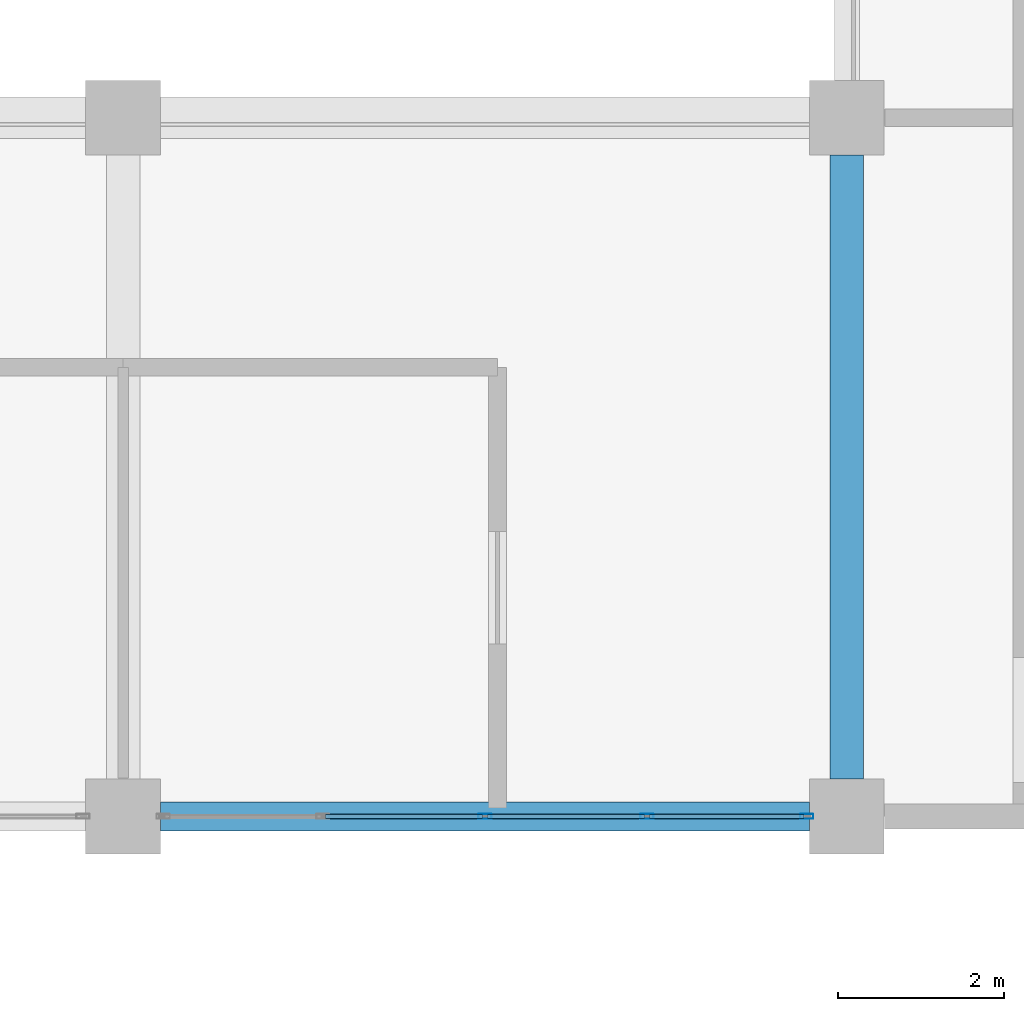
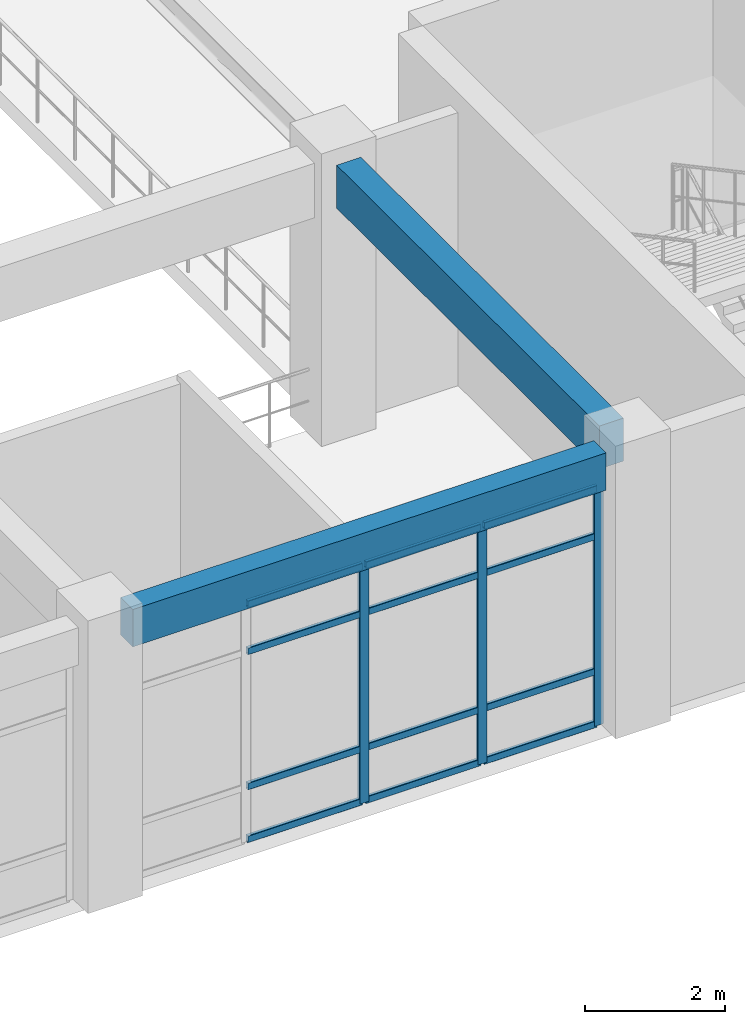
# One storey, part 39 of 120: 15 members, 2 beams, 1 element without a shape of its own.
"""IFC4 building model written with IfcOpenShell, lengths in metres."""

from ifc_helpers import new_model, si_unit, derived_unit, direction, frame, origin, origin_2d, place, context, subcontext, project, spatial, rectangle, hollow_rectangle, extrude, material, layer, layer_set, material_profile, profile_set, type_object, element, aggregate, save


model = new_model("IFC4")

# Units and contexts
model_context = context("Model", 3, precision=1e-05, world=origin(), true_north=direction((0.0, 1.0)))
body_context = subcontext(model_context, "Body", "Model", "MODEL_VIEW")
ifc_project = project(units=[si_unit("LENGTHUNIT", "METRE"), si_unit("AREAUNIT", "SQUARE_METRE"), si_unit("VOLUMEUNIT", "CUBIC_METRE"), si_unit("PLANEANGLEUNIT", "RADIAN"), si_unit("MASSUNIT", "GRAM", prefix="KILO"), derived_unit("THERMALTRANSMITTANCEUNIT", [(si_unit("MASSUNIT", "GRAM", prefix="KILO"), 1), (si_unit("TIMEUNIT", "SECOND"), -3), (si_unit("THERMODYNAMICTEMPERATUREUNIT", "KELVIN"), -1)])], contexts=[model_context])

# Site, building, storey
site_placement = place(None, origin())
site = spatial("IfcSite", under=ifc_project, at=site_placement, CompositionType="ELEMENT")
building_placement = place(site_placement, origin())
building = spatial("IfcBuilding", under=site, at=building_placement, Name="Qinzheling Arcade Emporium", CompositionType="ELEMENT")
storey_placement = place(building_placement, frame((0.0, 0.0, 11.39990234375)))
storey = spatial("IfcBuildingStorey", under=building, at=storey_placement, Name="L03", CompositionType="ELEMENT", Elevation=11.39990234375)

# Curtain wall, members
ifc_material_1 = material(Name="Anodised aluminium and solar-control double glazing", Category="aluminium")
ifc_layer = layer(ifc_material_1, 0.159912109375, Name="Anodised aluminium and solar-control double glazing", Category="aluminium")
ifc_layer_set = layer_set([ifc_layer], Name="Anodised aluminium and solar-control double glazing")
curtain_wall_type = type_object("IfcCurtainWallType", Name="Atrium Clerestory Curtain Wall", PredefinedType="NOTDEFINED", material=ifc_layer_set)
curtain_wall_placement = place(storey_placement, origin())
curtain_wall = element("IfcCurtainWall", 1, at=curtain_wall_placement, inside=storey, type_object=curtain_wall_type, Name="Curtain Wall CW-L03-143", PredefinedType="NOTDEFINED")
ifc_material_2 = material(Name="Anodised aluminium 6063-T6", Category="aluminium")
ifc_material_profile_1 = material_profile(ifc_material_2, hollow_rectangle(XDim=0.06005859375, YDim=0.159912109375, WallThickness=0.00390625, InnerFilletRadius=0.00390625, OuterFilletRadius=0.008056640625, at=origin_2d()), Name="RHS 160x60x4", Category="aluminium")
ifc_profile_set_1 = profile_set([ifc_material_profile_1], Name="Anodised aluminium 6063-T6")
member_type_1 = type_object("IfcMemberType", Name="Curtain Wall Mullion RHS160x60", PredefinedType="MULLION", material=ifc_profile_set_1)
member_1_placement = place(storey_placement, frame((86.51806640625, 42.0, 0.0), z_axis=(0.0, 0.0, 1.0), x_axis=(0.0, -1.0, 0.0)))
member_1 = element("IfcMember", 2, at=member_1_placement, type_object=member_type_1, Name="CW03 mullion 1", PredefinedType="MULLION", context=body_context, shape_type="SweptSolid", body=[
    extrude(hollow_rectangle(XDim=0.06005859375, YDim=0.159912109375, WallThickness=0.00390625, InnerFilletRadius=0.00390625, OuterFilletRadius=0.008056640625, at=origin_2d()), origin(), (0.0, 0.0, 1.0), 4.155029296875),
])
member_2_placement = place(storey_placement, frame((84.59912109375, 42.0, 0.0), z_axis=(0.0, 0.0, 1.0), x_axis=(0.0, -1.0, 0.0)))
member_2 = element("IfcMember", 3, at=member_2_placement, type_object=member_type_1, Name="CW03 mullion 2", PredefinedType="MULLION", context=body_context, shape_type="SweptSolid", body=[
    extrude(hollow_rectangle(XDim=0.06005859375, YDim=0.159912109375, WallThickness=0.00390625, InnerFilletRadius=0.00390625, OuterFilletRadius=0.008056640625, at=origin_2d()), origin(), (0.0, 0.0, 1.0), 4.155029296875),
])
member_3_placement = place(storey_placement, frame((82.64990234375, 42.0, 0.0), z_axis=(0.0, 0.0, 1.0), x_axis=(0.0, -1.0, 0.0)))
member_3 = element("IfcMember", 4, at=member_3_placement, type_object=member_type_1, Name="CW03 mullion 3", PredefinedType="MULLION", context=body_context, shape_type="SweptSolid", body=[
    extrude(hollow_rectangle(XDim=0.06005859375, YDim=0.159912109375, WallThickness=0.00390625, InnerFilletRadius=0.00390625, OuterFilletRadius=0.008056640625, at=origin_2d()), origin(), (0.0, 0.0, 1.0), 4.155029296875),
])
ifc_material_profile_2 = material_profile(ifc_material_2, hollow_rectangle(XDim=0.06005859375, YDim=0.1201171875, WallThickness=0.00390625, InnerFilletRadius=0.00390625, OuterFilletRadius=0.008056640625, at=origin_2d()), Name="RHS 120x60x4", Category="aluminium")
ifc_profile_set_2 = profile_set([ifc_material_profile_2], Name="Anodised aluminium 6063-T6")
member_type_2 = type_object("IfcMemberType", Name="Curtain Wall Transom RHS120x60", PredefinedType="USERDEFINED", material=ifc_profile_set_2)
member_4_placement = place(storey_placement, frame((86.488037109375, 42.0, 0.030029296875), z_axis=(-1.0, 0.0, 0.0), x_axis=(0.0, -1.0, 0.0)))
member_4 = element("IfcMember", 5, at=member_4_placement, type_object=member_type_2, Name="CW03 transom 1.1", ObjectType="TRANSOM", PredefinedType="USERDEFINED", context=body_context, shape_type="SweptSolid", body=[
    extrude(hollow_rectangle(XDim=0.06005859375, YDim=0.1201171875, WallThickness=0.00390625, InnerFilletRadius=0.00390625, OuterFilletRadius=0.008056640625, at=origin_2d()), origin(), (0.0, 0.0, 1.0), 1.859130859375),
])
member_5_placement = place(storey_placement, frame((86.488037109375, 42.0, 0.9501953125), z_axis=(-1.0, 0.0, 0.0), x_axis=(0.0, -1.0, 0.0)))
member_5 = element("IfcMember", 6, at=member_5_placement, type_object=member_type_2, Name="CW03 transom 1.2", ObjectType="TRANSOM", PredefinedType="USERDEFINED", context=body_context, shape_type="SweptSolid", body=[
    extrude(hollow_rectangle(XDim=0.06005859375, YDim=0.1201171875, WallThickness=0.00390625, InnerFilletRadius=0.00390625, OuterFilletRadius=0.008056640625, at=origin_2d()), origin(), (0.0, 0.0, 1.0), 1.859130859375),
])
member_6_placement = place(storey_placement, frame((86.488037109375, 42.0, 3.30517578125), z_axis=(-1.0, 0.0, 0.0), x_axis=(0.0, -1.0, 0.0)))
member_6 = element("IfcMember", 7, at=member_6_placement, type_object=member_type_2, Name="CW03 transom 1.3", ObjectType="TRANSOM", PredefinedType="USERDEFINED", context=body_context, shape_type="SweptSolid", body=[
    extrude(hollow_rectangle(XDim=0.06005859375, YDim=0.1201171875, WallThickness=0.00390625, InnerFilletRadius=0.00390625, OuterFilletRadius=0.008056640625, at=origin_2d()), origin(), (0.0, 0.0, 1.0), 1.859130859375),
])
member_7_placement = place(storey_placement, frame((86.488037109375, 42.0, 4.125), z_axis=(-1.0, 0.0, 0.0), x_axis=(0.0, -1.0, 0.0)))
member_7 = element("IfcMember", 8, at=member_7_placement, type_object=member_type_2, Name="CW03 transom 1.4", ObjectType="TRANSOM", PredefinedType="USERDEFINED", context=body_context, shape_type="SweptSolid", body=[
    extrude(hollow_rectangle(XDim=0.06005859375, YDim=0.1201171875, WallThickness=0.00390625, InnerFilletRadius=0.00390625, OuterFilletRadius=0.008056640625, at=origin_2d()), origin(), (0.0, 0.0, 1.0), 1.859130859375),
])
member_8_placement = place(storey_placement, frame((84.569091796875, 42.0, 0.030029296875), z_axis=(-1.0, 0.0, 0.0), x_axis=(0.0, -1.0, 0.0)))
member_8 = element("IfcMember", 9, at=member_8_placement, type_object=member_type_2, Name="CW03 transom 2.1", ObjectType="TRANSOM", PredefinedType="USERDEFINED", context=body_context, shape_type="SweptSolid", body=[
    extrude(hollow_rectangle(XDim=0.06005859375, YDim=0.1201171875, WallThickness=0.00390625, InnerFilletRadius=0.00390625, OuterFilletRadius=0.008056640625, at=origin_2d()), origin(), (0.0, 0.0, 1.0), 1.88916015625),
])
member_9_placement = place(storey_placement, frame((84.569091796875, 42.0, 0.9501953125), z_axis=(-1.0, 0.0, 0.0), x_axis=(0.0, -1.0, 0.0)))
member_9 = element("IfcMember", 10, at=member_9_placement, type_object=member_type_2, Name="CW03 transom 2.2", ObjectType="TRANSOM", PredefinedType="USERDEFINED", context=body_context, shape_type="SweptSolid", body=[
    extrude(hollow_rectangle(XDim=0.06005859375, YDim=0.1201171875, WallThickness=0.00390625, InnerFilletRadius=0.00390625, OuterFilletRadius=0.008056640625, at=origin_2d()), origin(), (0.0, 0.0, 1.0), 1.88916015625),
])
member_10_placement = place(storey_placement, frame((84.569091796875, 42.0, 3.30517578125), z_axis=(-1.0, 0.0, 0.0), x_axis=(0.0, -1.0, 0.0)))
member_10 = element("IfcMember", 11, at=member_10_placement, type_object=member_type_2, Name="CW03 transom 2.3", ObjectType="TRANSOM", PredefinedType="USERDEFINED", context=body_context, shape_type="SweptSolid", body=[
    extrude(hollow_rectangle(XDim=0.06005859375, YDim=0.1201171875, WallThickness=0.00390625, InnerFilletRadius=0.00390625, OuterFilletRadius=0.008056640625, at=origin_2d()), origin(), (0.0, 0.0, 1.0), 1.88916015625),
])
member_11_placement = place(storey_placement, frame((84.569091796875, 42.0, 4.125), z_axis=(-1.0, 0.0, 0.0), x_axis=(0.0, -1.0, 0.0)))
member_11 = element("IfcMember", 12, at=member_11_placement, type_object=member_type_2, Name="CW03 transom 2.4", ObjectType="TRANSOM", PredefinedType="USERDEFINED", context=body_context, shape_type="SweptSolid", body=[
    extrude(hollow_rectangle(XDim=0.06005859375, YDim=0.1201171875, WallThickness=0.00390625, InnerFilletRadius=0.00390625, OuterFilletRadius=0.008056640625, at=origin_2d()), origin(), (0.0, 0.0, 1.0), 1.88916015625),
])
member_12_placement = place(storey_placement, frame((82.6201171875, 42.0, 0.030029296875), z_axis=(-1.0, 0.0, 0.0), x_axis=(0.0, -1.0, 0.0)))
member_12 = element("IfcMember", 13, at=member_12_placement, type_object=member_type_2, Name="CW03 transom 3.1", ObjectType="TRANSOM", PredefinedType="USERDEFINED", context=body_context, shape_type="SweptSolid", body=[
    extrude(hollow_rectangle(XDim=0.06005859375, YDim=0.1201171875, WallThickness=0.00390625, InnerFilletRadius=0.00390625, OuterFilletRadius=0.008056640625, at=origin_2d()), origin(), (0.0, 0.0, 1.0), 1.88916015625),
])
member_13_placement = place(storey_placement, frame((82.6201171875, 42.0, 0.9501953125), z_axis=(-1.0, 0.0, 0.0), x_axis=(0.0, -1.0, 0.0)))
member_13 = element("IfcMember", 14, at=member_13_placement, type_object=member_type_2, Name="CW03 transom 3.2", ObjectType="TRANSOM", PredefinedType="USERDEFINED", context=body_context, shape_type="SweptSolid", body=[
    extrude(hollow_rectangle(XDim=0.06005859375, YDim=0.1201171875, WallThickness=0.00390625, InnerFilletRadius=0.00390625, OuterFilletRadius=0.008056640625, at=origin_2d()), origin(), (0.0, 0.0, 1.0), 1.88916015625),
])
member_14_placement = place(storey_placement, frame((82.6201171875, 42.0, 3.30517578125), z_axis=(-1.0, 0.0, 0.0), x_axis=(0.0, -1.0, 0.0)))
member_14 = element("IfcMember", 15, at=member_14_placement, type_object=member_type_2, Name="CW03 transom 3.3", ObjectType="TRANSOM", PredefinedType="USERDEFINED", context=body_context, shape_type="SweptSolid", body=[
    extrude(hollow_rectangle(XDim=0.06005859375, YDim=0.1201171875, WallThickness=0.00390625, InnerFilletRadius=0.00390625, OuterFilletRadius=0.008056640625, at=origin_2d()), origin(), (0.0, 0.0, 1.0), 1.88916015625),
])
member_15_placement = place(storey_placement, frame((82.6201171875, 42.0, 4.125), z_axis=(-1.0, 0.0, 0.0), x_axis=(0.0, -1.0, 0.0)))
member_15 = element("IfcMember", 16, at=member_15_placement, type_object=member_type_2, Name="CW03 transom 3.4", ObjectType="TRANSOM", PredefinedType="USERDEFINED", context=body_context, shape_type="SweptSolid", body=[
    extrude(hollow_rectangle(XDim=0.06005859375, YDim=0.1201171875, WallThickness=0.00390625, InnerFilletRadius=0.00390625, OuterFilletRadius=0.008056640625, at=origin_2d()), origin(), (0.0, 0.0, 1.0), 1.88916015625),
])
aggregate(curtain_wall, [member_1, member_2, member_3, member_4, member_5, member_6, member_7, member_8, member_9, member_10, member_11, member_12, member_13, member_14, member_15])

# Beams
ifc_material_3 = material(Name="Concrete C40", Category="concrete")
ifc_material_profile_3 = material_profile(ifc_material_3, rectangle(XDim=0.39990234375, YDim=0.75, at=origin_2d()), Name="RC 400x750", Category="concrete")
ifc_profile_set_3 = profile_set([ifc_material_profile_3], Name="Concrete C40")
beam_type_1 = type_object("IfcBeamType", Name="RC Interior Tie Beam 400x750 C40", PredefinedType="BEAM", material=ifc_profile_set_3)
beam_1_placement = place(storey_placement, frame((87.0, 42.449951171875, 4.445068359375), z_axis=(0.0, 1.0, 0.0), x_axis=(-1.0, 0.0, 0.0)))
element("IfcBeam", 17, at=beam_1_placement, inside=storey, type_object=beam_type_1, Name="Beam BM-L03-Y-11-F", PredefinedType="BEAM", context=body_context, shape_type="SweptSolid", body=[
    extrude(rectangle(XDim=0.39990234375, YDim=0.75, at=origin_2d()), origin(), (0.0, 0.0, 1.0), 7.5),
])
ifc_material_profile_4 = material_profile(ifc_material_3, rectangle(XDim=0.35009765625, YDim=0.64990234375, at=origin_2d()), Name="RC 350x650", Category="concrete")
ifc_profile_set_4 = profile_set([ifc_material_profile_4], Name="Concrete C40")
beam_type_2 = type_object("IfcBeamType", Name="RC Spandrel Edge Beam 350x650 C40", PredefinedType="SPANDREL", material=ifc_profile_set_4)
beam_2_placement = place(storey_placement, frame((78.75, 42.0, 4.4951171875), z_axis=(1.0, 0.0, 0.0), x_axis=(0.0, 1.0, 0.0)))
element("IfcBeam", 18, at=beam_2_placement, inside=storey, type_object=beam_type_2, Name="Beam BM-L03-X-F-10", PredefinedType="SPANDREL", context=body_context, shape_type="SweptSolid", body=[
    extrude(rectangle(XDim=0.35009765625, YDim=0.64990234375, at=origin_2d()), origin(), (0.0, 0.0, 1.0), 7.800048828125),
])

save(model, "model.ifc")
